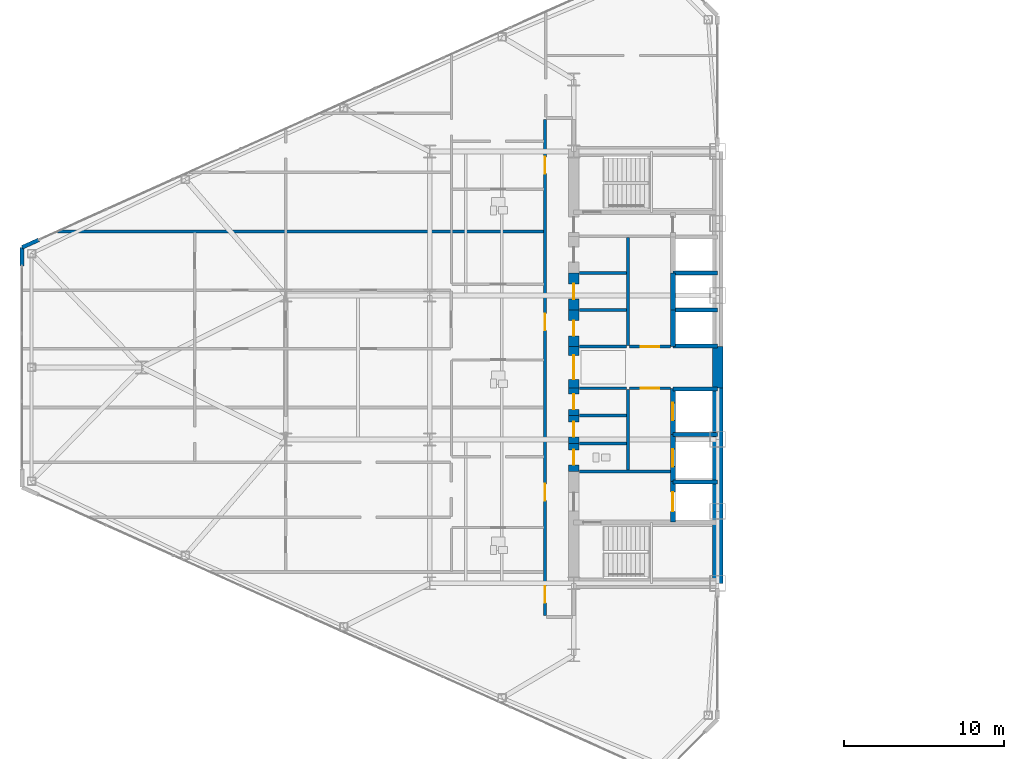
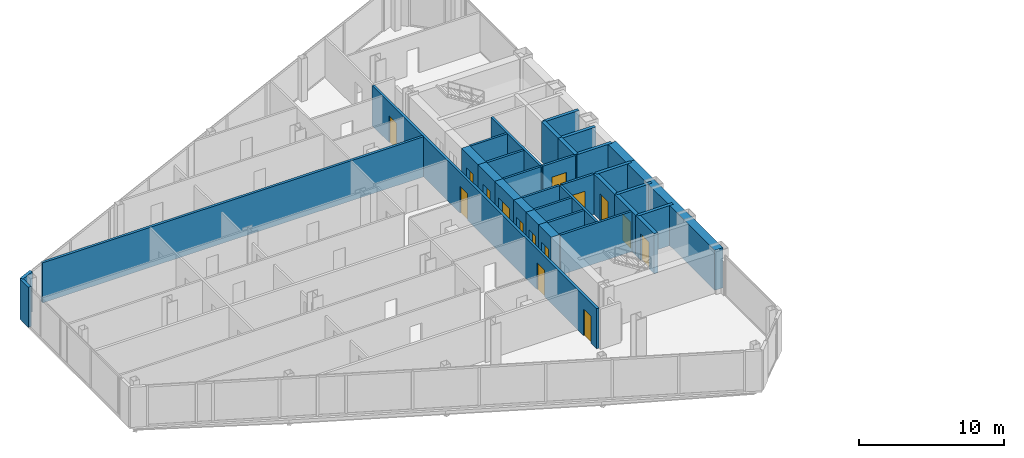
# One storey, part 20 of 27: 34 walls, 15 doors, 15 openings.
"""IFC4 building model written with IfcOpenShell, lengths in metres."""

from ifc_helpers import new_model, si_unit, direction, frame, frame_2d, origin, place, context, subcontext, project, spatial, rectangle, extrude, source, transform, mapped, material, layer, layer_set, type_object, type_shapes, element, fill, save


model = new_model("IFC4")

# Units and contexts
model_context = context("Model", 3, precision=1e-05, world=origin(), true_north=direction((0.0, 1.0)))
body_context = subcontext(model_context, "Body", "Model", "MODEL_VIEW")
ifc_project = project(units=[si_unit("LENGTHUNIT", "METRE"), si_unit("AREAUNIT", "SQUARE_METRE"), si_unit("VOLUMEUNIT", "CUBIC_METRE"), si_unit("PLANEANGLEUNIT", "RADIAN"), si_unit("MASSUNIT", "GRAM", prefix="KILO")], contexts=[model_context])

# Site, building, storey
site_placement = place(None, origin())
site = spatial("IfcSite", under=ifc_project, at=site_placement, CompositionType="ELEMENT")
building_placement = place(site_placement, origin())
building = spatial("IfcBuilding", under=site, at=building_placement, Name="Seokmaru Belvedere", CompositionType="ELEMENT")
storey_placement = place(building_placement, frame((0.0, 0.0, 99.60009765625)))
storey = spatial("IfcBuildingStorey", under=building, at=storey_placement, Name="L26", CompositionType="ELEMENT", Elevation=99.60009765625)

# Walls
ifc_material_1 = material(Name="Fire-Rated Gypsum Shaftwall")
ifc_layer_1 = layer(ifc_material_1, 0.179931640625)
ifc_layer_set_1 = layer_set([ifc_layer_1], Name="Fire-Rated Gypsum Shaftwall")
wall_type_1 = type_object("IfcWallType", Name="Core Service Fire Partition 180", PredefinedType="PARTITIONING", material=ifc_layer_set_1)
wall_1_placement = place(storey_placement, frame((-36.14990234375, -6.5, 0.0), z_axis=(0.0, 0.0, 1.0), x_axis=(1.0, 0.0, 0.0)))
element("IfcWall", 1, at=wall_1_placement, inside=storey, type_object=wall_type_1, Name="L26 West Firefighting Lobby Partition", PredefinedType="PARTITIONING", context=body_context, shape_type="SweptSolid", body=[
    extrude(rectangle(XDim=5.699951171875, YDim=0.179931640625, at=frame_2d((2.85009765625, 0.0))), origin(), (0.0, 0.0, 1.0), 3.3798828125),
])
wall_2_placement = place(storey_placement, frame((-33.10009765625, -6.419921875, 0.0), z_axis=(0.0, 0.0, 1.0), x_axis=(0.0, 1.0, 0.0)))
element("IfcWall", 2, at=wall_2_placement, inside=storey, type_object=wall_type_1, Name="L26 West South Core Service Back Wall", PredefinedType="PARTITIONING", context=body_context, shape_type="SweptSolid", body=[
    extrude(rectangle(XDim=5.0400390625, YDim=0.179931640625, at=frame_2d((2.52001953125, 0.0))), origin(), (0.0, 0.0, 1.0), 3.3798828125),
])
wall_3_placement = place(storey_placement, frame((-33.10009765625, 1.3798828125, 0.0), z_axis=(0.0, 0.0, 1.0), x_axis=(0.0, 1.0, 0.0)))
element("IfcWall", 3, at=wall_3_placement, inside=storey, type_object=wall_type_1, Name="L26 West North Core Service Back Wall", PredefinedType="PARTITIONING", context=body_context, shape_type="SweptSolid", body=[
    extrude(rectangle(XDim=6.740234375, YDim=0.179931640625, at=frame_2d((3.3701171875, 0.0))), origin(), (0.0, 0.0, 1.0), 3.3798828125),
])

# Wall, opening, door
wall_4_placement = place(storey_placement, frame((-33.02001953125, -1.300048828125, 0.0), z_axis=(0.0, 0.0, 1.0), x_axis=(1.0, 0.0, 0.0)))
wall_4 = element("IfcWall", 4, at=wall_4_placement, inside=storey, type_object=wall_type_1, Name="L26 West South Lift Lobby Foyer Wall", PredefinedType="PARTITIONING", context=body_context, shape_type="SweptSolid", body=[
    extrude(rectangle(XDim=2.570068359375, YDim=0.179931640625, at=frame_2d((1.28515625, 0.0))), origin(), (0.0, 0.0, 1.0), 3.3798828125),
])
opening_1_placement = place(wall_4_placement, frame((0.7099609375, 0.0, 0.0)))
opening_1 = element("IfcOpeningElement", 5, at=opening_1_placement, cuts=wall_4, Name="Opening D02", PredefinedType="OPENING", context=body_context, shape_type="SweptSolid", body=[
    extrude(rectangle(XDim=1.14990234375, YDim=2.199951171875, at=frame_2d((0.574951171875, 1.10009765625))), frame((0.0, 0.10009765625, 0.0), z_axis=(0.0, -1.0, 0.0), x_axis=(1.0, 0.0, 0.0)), (0.0, 0.0, 1.0), 0.199951171875),
])
ifc_material_2 = material(Name="Fire-Rated Steel Leaf", Category="steel")
door_type_1 = type_object("IfcDoorType", Name="Lobby and Vestibule Fire Door 1150x2200", OperationType="NOTDEFINED", PredefinedType="DOOR", material=ifc_material_2)
shared_shape_1 = source(origin(), body_context, "Body", "SweptSolid", [
    extrude(rectangle(XDim=1.14990234375, YDim=2.199951171875, at=frame_2d((0.574951171875, 1.10009765625))), frame((0.0, 0.02490234375, 0.0), z_axis=(0.0, -1.0, 0.0), x_axis=(1.0, 0.0, 0.0)), (0.0, 0.0, 1.0), 0.050048828125),
])
type_shapes(door_type_1, [shared_shape_1])
door_1_placement = place(opening_1_placement, origin())
door_1 = element("IfcDoor", 6, at=door_1_placement, inside=storey, type_object=door_type_1, Name="L26 West South Core Foyer Door", OperationType="SINGLE_SWING_LEFT", OverallHeight=2.199951171875, OverallWidth=1.14990234375, PredefinedType="DOOR", context=body_context, shape_type="MappedRepresentation", body=[
    mapped(shared_shape_1, transform((0.0, 0.0, 0.0), scale=1.0)),
])
fill(opening_1, door_1)

wall_5_placement = place(storey_placement, frame((-33.02001953125, 1.300048828125, 0.0), z_axis=(0.0, 0.0, 1.0), x_axis=(1.0, 0.0, 0.0)))
wall_5 = element("IfcWall", 7, at=wall_5_placement, inside=storey, type_object=wall_type_1, Name="L26 West North Lift Lobby Foyer Wall", PredefinedType="PARTITIONING", context=body_context, shape_type="SweptSolid", body=[
    extrude(rectangle(XDim=2.570068359375, YDim=0.179931640625, at=frame_2d((1.28515625, 0.0))), origin(), (0.0, 0.0, 1.0), 3.3798828125),
])
opening_2_placement = place(wall_5_placement, frame((0.7099609375, 0.0, 0.0)))
opening_2 = element("IfcOpeningElement", 8, at=opening_2_placement, cuts=wall_5, Name="Opening D02", PredefinedType="OPENING", context=body_context, shape_type="SweptSolid", body=[
    extrude(rectangle(XDim=1.14990234375, YDim=2.199951171875, at=frame_2d((0.574951171875, 1.10009765625))), frame((0.0, 0.10009765625, 0.0), z_axis=(0.0, -1.0, 0.0), x_axis=(1.0, 0.0, 0.0)), (0.0, 0.0, 1.0), 0.199951171875),
])
door_2_placement = place(opening_2_placement, origin())
door_2 = element("IfcDoor", 9, at=door_2_placement, inside=storey, type_object=door_type_1, Name="L26 West North Lift Lobby Door", OperationType="SINGLE_SWING_RIGHT", OverallHeight=2.199951171875, OverallWidth=1.14990234375, PredefinedType="DOOR", context=body_context, shape_type="MappedRepresentation", body=[
    mapped(shared_shape_1, transform((0.0, 0.0, 0.0), scale=1.0)),
])
fill(opening_2, door_2)

# Walls
for number, where, z_axis, x_axis, name in (
    (10, (-36.14990234375, -1.300048828125, 0.0), (0.0, 0.0, 1.0), (1.0, 0.0, 0.0), "L26 West Foyer Side Wall S"),
    (11, (-36.14990234375, 1.300048828125, 0.0), (0.0, 0.0, 1.0), (1.0, 0.0, 0.0), "L26 West Foyer Side Wall N"),
    (12, (-36.14990234375, -4.75, 0.0), (0.0, 0.0, 1.0), (1.0, 0.0, 0.0), "L26 West Core Service Partition 1"),
    (13, (-36.14990234375, -3.0, 0.0), (0.0, 0.0, 1.0), (1.0, 0.0, 0.0), "L26 West Core Service Partition 2"),
    (14, (-36.14990234375, 3.60009765625, 0.0), (0.0, 0.0, 1.0), (1.0, 0.0, 0.0), "L26 West Core Service Partition 3"),
    (15, (-36.14990234375, 5.89990234375, 0.0), (0.0, 0.0, 1.0), (1.0, 0.0, 0.0), "L26 West Core Service Partition 4"),
):
    element("IfcWall", number, at=place(storey_placement, frame(where, z_axis=z_axis, x_axis=x_axis)), inside=storey, type_object=wall_type_1, Name=name, PredefinedType="PARTITIONING", context=body_context, shape_type="SweptSolid", body=[
        extrude(rectangle(XDim=2.949951171875, YDim=0.179931640625, at=frame_2d((1.47509765625, 0.0))), origin(), (0.0, 0.0, 1.0), 3.3798828125),
    ])
ifc_material_3 = material(Name="Concrete C50 (50 MPa)", Category="concrete")
ifc_layer_2 = layer(ifc_material_3, 0.25)
ifc_layer_set_2 = layer_set([ifc_layer_2], Name="Concrete C50 (50 MPa)")
wall_type_2 = type_object("IfcWallType", Name="Hoistway Transverse Concrete Divider Wall 250", PredefinedType="SHEAR", material=ifc_layer_set_2)
for number, where, z_axis, x_axis, name in (
    (16, (-30.300048828125, -7.14990234375, 0.0), (0.0, 0.0, 1.0), (1.0, 0.0, 0.0), "L26 West Hoistway Divider Core Wall 1"),
    (17, (-30.300048828125, -4.199951171875, 0.0), (0.0, 0.0, 1.0), (1.0, 0.0, 0.0), "L26 West Hoistway Divider Core Wall 2"),
    (18, (-30.300048828125, -1.35009765625, 0.0), (0.0, 0.0, 1.0), (1.0, 0.0, 0.0), "L26 West Hoistway Divider Core Wall 3"),
    (19, (-30.300048828125, 1.35009765625, 0.0), (0.0, 0.0, 1.0), (1.0, 0.0, 0.0), "L26 West Hoistway Divider Core Wall 4"),
    (20, (-30.300048828125, 3.60009765625, 0.0), (0.0, 0.0, 1.0), (1.0, 0.0, 0.0), "L26 West Hoistway Divider Core Wall 5"),
    (21, (-30.300048828125, 5.89990234375, 0.0), (0.0, 0.0, 1.0), (1.0, 0.0, 0.0), "L26 West Hoistway Divider Core Wall 6"),
):
    element("IfcWall", number, at=place(storey_placement, frame(where, z_axis=z_axis, x_axis=x_axis)), inside=storey, type_object=wall_type_2, Name=name, PredefinedType="SHEAR", context=body_context, shape_type="SweptSolid", body=[
        extrude(rectangle(XDim=2.800048828125, YDim=0.25, at=frame_2d((1.39990234375, 0.0))), origin(), (0.0, 0.0, 1.0), 3.3798828125),
    ])
ifc_layer_3 = layer(ifc_material_1, 0.199951171875)
ifc_layer_set_3 = layer_set([ifc_layer_3], Name="Fire-Rated Gypsum Shaftwall")
wall_type_3 = type_object("IfcWallType", Name="Inter-Tenancy Fire Compartment Partition 200", PredefinedType="PARTITIONING", material=ifc_layer_set_3)
wall_6_placement = place(storey_placement, frame((-68.7900390625, 8.5, 0.0), z_axis=(0.0, 0.0, 1.0), x_axis=(1.0, 0.0, 0.0)))
element("IfcWall", 22, at=wall_6_placement, inside=storey, type_object=wall_type_3, Name="L26 Interior Partition 021", PredefinedType="PARTITIONING", context=body_context, shape_type="SweptSolid", body=[
    extrude(rectangle(XDim=30.41015625, YDim=0.199951171875, at=frame_2d((15.205078125, 0.0))), origin(), (0.0, 0.0, 1.0), 3.3798828125),
])

# Wall, openings, doors
wall_7_placement = place(storey_placement, frame((-38.300048828125, -15.514892578125, 0.0), z_axis=(0.0, 0.0, 1.0), x_axis=(0.0, 1.0, 0.0)))
wall_7 = element("IfcWall", 23, at=wall_7_placement, inside=storey, type_object=wall_type_3, Name="L26 Interior Partition 039", PredefinedType="PARTITIONING", context=body_context, shape_type="SweptSolid", body=[
    extrude(rectangle(XDim=31.02978515625, YDim=0.199951171875, at=frame_2d((15.514892578125, 0.0))), origin(), (0.0, 0.0, 1.0), 3.3798828125),
])
opening_3_placement = place(wall_7_placement, frame((0.7900390625, 0.0, 0.0)))
opening_3 = element("IfcOpeningElement", 24, at=opening_3_placement, cuts=wall_7, Name="Opening D03", PredefinedType="OPENING", context=body_context, shape_type="SweptSolid", body=[
    extrude(rectangle(XDim=1.050048828125, YDim=2.25, at=frame_2d((0.52490234375, 1.125))), frame((0.0, 0.10986328125, 0.0), z_axis=(0.0, -1.0, 0.0), x_axis=(1.0, 0.0, 0.0)), (0.0, 0.0, 1.0), 0.219970703125),
])
opening_4_placement = place(wall_7_placement, frame((7.185546875, 0.0, 0.0)))
opening_4 = element("IfcOpeningElement", 25, at=opening_4_placement, cuts=wall_7, Name="Opening D03", PredefinedType="OPENING", context=body_context, shape_type="SweptSolid", body=[
    extrude(rectangle(XDim=1.050048828125, YDim=2.25, at=frame_2d((0.52490234375, 1.125))), frame((0.0, 0.10986328125, 0.0), z_axis=(0.0, -1.0, 0.0), x_axis=(1.0, 0.0, 0.0)), (0.0, 0.0, 1.0), 0.219970703125),
])
opening_5_placement = place(wall_7_placement, frame((17.824951171875, 0.0, 0.0)))
opening_5 = element("IfcOpeningElement", 26, at=opening_5_placement, cuts=wall_7, Name="Opening D03", PredefinedType="OPENING", context=body_context, shape_type="SweptSolid", body=[
    extrude(rectangle(XDim=1.050048828125, YDim=2.25, at=frame_2d((0.52490234375, 1.125))), frame((0.0, 0.10986328125, 0.0), z_axis=(0.0, -1.0, 0.0), x_axis=(1.0, 0.0, 0.0)), (0.0, 0.0, 1.0), 0.219970703125),
])
opening_6_placement = place(wall_7_placement, frame((27.635009765625, 0.0, 0.0)))
opening_6 = element("IfcOpeningElement", 27, at=opening_6_placement, cuts=wall_7, Name="Opening D03", PredefinedType="OPENING", context=body_context, shape_type="SweptSolid", body=[
    extrude(rectangle(XDim=1.050048828125, YDim=2.25, at=frame_2d((0.52490234375, 1.125))), frame((0.0, 0.10986328125, 0.0), z_axis=(0.0, -1.0, 0.0), x_axis=(1.0, 0.0, 0.0)), (0.0, 0.0, 1.0), 0.219970703125),
])
door_type_2 = type_object("IfcDoorType", Name="Apartment Entrance Fire Door 1050x2250", OperationType="NOTDEFINED", PredefinedType="DOOR", material=ifc_material_2)
shared_shape_2 = source(origin(), body_context, "Body", "SweptSolid", [
    extrude(rectangle(XDim=1.050048828125, YDim=2.25, at=frame_2d((0.52490234375, 1.125))), frame((0.0, 0.02490234375, 0.0), z_axis=(0.0, -1.0, 0.0), x_axis=(1.0, 0.0, 0.0)), (0.0, 0.0, 1.0), 0.050048828125),
])
type_shapes(door_type_2, [shared_shape_2])
door_3_placement = place(opening_3_placement, origin())
door_3 = element("IfcDoor", 28, at=door_3_placement, inside=storey, type_object=door_type_2, Name="L26 Interior Door 001", OperationType="SINGLE_SWING_RIGHT", OverallHeight=2.25, OverallWidth=1.050048828125, PredefinedType="DOOR", context=body_context, shape_type="MappedRepresentation", body=[
    mapped(shared_shape_2, transform((0.0, 0.0, 0.0), scale=1.0)),
])
fill(opening_3, door_3)
door_4_placement = place(opening_4_placement, origin())
door_4 = element("IfcDoor", 29, at=door_4_placement, inside=storey, type_object=door_type_2, Name="L26 Interior Door 002", OperationType="SINGLE_SWING_LEFT", OverallHeight=2.25, OverallWidth=1.050048828125, PredefinedType="DOOR", context=body_context, shape_type="MappedRepresentation", body=[
    mapped(shared_shape_2, transform((0.0, 0.0, 0.0), scale=1.0)),
])
fill(opening_4, door_4)
door_5_placement = place(opening_5_placement, origin())
door_5 = element("IfcDoor", 30, at=door_5_placement, inside=storey, type_object=door_type_2, Name="L26 Interior Door 012", OperationType="SINGLE_SWING_RIGHT", OverallHeight=2.25, OverallWidth=1.050048828125, PredefinedType="DOOR", context=body_context, shape_type="MappedRepresentation", body=[
    mapped(shared_shape_2, transform((0.0, 0.0, 0.0), scale=1.0)),
])
fill(opening_5, door_5)
door_6_placement = place(opening_6_placement, origin())
door_6 = element("IfcDoor", 31, at=door_6_placement, inside=storey, type_object=door_type_2, Name="L26 Interior Door 024", OperationType="SINGLE_SWING_LEFT", OverallHeight=2.25, OverallWidth=1.050048828125, PredefinedType="DOOR", context=body_context, shape_type="MappedRepresentation", body=[
    mapped(shared_shape_2, transform((0.0, 0.0, 0.0), scale=1.0)),
])
fill(opening_6, door_6)

# Wall, opening, door
ifc_layer_4 = layer(ifc_material_3, 0.300048828125)
ifc_layer_set_4 = layer_set([ifc_layer_4], Name="Concrete C50 (50 MPa)")
wall_type_4 = type_object("IfcWallType", Name="Internal Core Stair and Hoistway Wall 300", PredefinedType="SHEAR", material=ifc_layer_set_4)
wall_8_placement = place(storey_placement, frame((-30.300048828125, -9.679931640625, 0.0), z_axis=(0.0, 0.0, 1.0), x_axis=(0.0, 1.0, 0.0)))
wall_8 = element("IfcWall", 32, at=wall_8_placement, inside=storey, type_object=wall_type_4, Name="L26 West Firefighting Lift Shaft Front Wall", PredefinedType="SHEAR", context=body_context, shape_type="SweptSolid", body=[
    extrude(rectangle(XDim=2.559814453125, YDim=0.300048828125, at=frame_2d((1.27978515625, 0.0))), origin(), (0.0, 0.0, 1.0), 3.3798828125),
])
opening_7_placement = place(wall_8_placement, frame((0.679931640625, 0.0, 0.0)))
opening_7 = element("IfcOpeningElement", 33, at=opening_7_placement, cuts=wall_8, Name="Opening LD2", PredefinedType="OPENING", context=body_context, shape_type="SweptSolid", body=[
    extrude(rectangle(XDim=1.199951171875, YDim=2.25, at=frame_2d((0.60009765625, 1.125))), frame((0.0, 0.16015625, 0.0), z_axis=(0.0, -1.0, 0.0), x_axis=(1.0, 0.0, 0.0)), (0.0, 0.0, 1.0), 0.320068359375),
])
ifc_material_4 = material(Name="Stainless Steel 316", Category="steel")
door_type_3 = type_object("IfcDoorType", Name="Firefighting Lift Sliding Landing Door 1200x2250", OperationType="DOUBLE_DOOR_SLIDING", PredefinedType="DOOR", material=ifc_material_4)
shared_shape_3 = source(origin(), body_context, "Body", "SweptSolid", [
    extrude(rectangle(XDim=1.199951171875, YDim=2.25, at=frame_2d((0.60009765625, 1.125))), frame((0.0, 0.02490234375, 0.0), z_axis=(0.0, -1.0, 0.0), x_axis=(1.0, 0.0, 0.0)), (0.0, 0.0, 1.0), 0.050048828125),
])
type_shapes(door_type_3, [shared_shape_3])
door_7_placement = place(opening_7_placement, origin())
door_7 = element("IfcDoor", 34, at=door_7_placement, inside=storey, type_object=door_type_3, Name="L26 West Firefighting Lift Landing Door", OperationType="DOUBLE_DOOR_SLIDING", OverallHeight=2.25, OverallWidth=1.199951171875, PredefinedType="DOOR", context=body_context, shape_type="MappedRepresentation", body=[
    mapped(shared_shape_3, transform((0.0, 0.0, 0.0), scale=1.0)),
])
fill(opening_7, door_7)

wall_9_placement = place(storey_placement, frame((-30.300048828125, -7.1201171875, 0.0), z_axis=(0.0, 0.0, 1.0), x_axis=(0.0, 1.0, 0.0)))
wall_9 = element("IfcWall", 35, at=wall_9_placement, inside=storey, type_object=wall_type_4, Name="L26 West Low-Rise Lift PL-1 Front Wall", PredefinedType="SHEAR", context=body_context, shape_type="SweptSolid", body=[
    extrude(rectangle(XDim=2.920166015625, YDim=0.300048828125, at=frame_2d((1.4599609375, 0.0))), origin(), (0.0, 0.0, 1.0), 3.3798828125),
])
opening_8_placement = place(wall_9_placement, frame((0.909912109375, 0.0, 0.0)))
opening_8 = element("IfcOpeningElement", 36, at=opening_8_placement, cuts=wall_9, Name="Opening LD1", PredefinedType="OPENING", context=body_context, shape_type="SweptSolid", body=[
    extrude(rectangle(XDim=1.10009765625, YDim=2.199951171875, at=frame_2d((0.550048828125, 1.10009765625))), frame((0.0, 0.16015625, 0.0), z_axis=(0.0, -1.0, 0.0), x_axis=(1.0, 0.0, 0.0)), (0.0, 0.0, 1.0), 0.320068359375),
])
door_type_4 = type_object("IfcDoorType", Name="Passenger Lift Sliding Landing Door 1100x2200", OperationType="DOUBLE_DOOR_SLIDING", PredefinedType="DOOR", material=ifc_material_4)
shared_shape_4 = source(origin(), body_context, "Body", "SweptSolid", [
    extrude(rectangle(XDim=1.10009765625, YDim=2.199951171875, at=frame_2d((0.550048828125, 1.10009765625))), frame((0.0, 0.02490234375, 0.0), z_axis=(0.0, -1.0, 0.0), x_axis=(1.0, 0.0, 0.0)), (0.0, 0.0, 1.0), 0.050048828125),
])
type_shapes(door_type_4, [shared_shape_4])
door_8_placement = place(opening_8_placement, origin())
door_8 = element("IfcDoor", 37, at=door_8_placement, inside=storey, type_object=door_type_4, Name="L26 West Low-Rise Lift PL-1 Landing Door", OperationType="DOUBLE_DOOR_SLIDING", OverallHeight=2.199951171875, OverallWidth=1.10009765625, PredefinedType="DOOR", context=body_context, shape_type="MappedRepresentation", body=[
    mapped(shared_shape_4, transform((0.0, 0.0, 0.0), scale=1.0)),
])
fill(opening_8, door_8)

wall_10_placement = place(storey_placement, frame((-30.300048828125, -4.199951171875, 0.0), z_axis=(0.0, 0.0, 1.0), x_axis=(0.0, 1.0, 0.0)))
wall_10 = element("IfcWall", 38, at=wall_10_placement, inside=storey, type_object=wall_type_4, Name="L26 West Low-Rise Lift PL-2 Front Wall", PredefinedType="SHEAR", context=body_context, shape_type="SweptSolid", body=[
    extrude(rectangle(XDim=2.8798828125, YDim=0.300048828125, at=frame_2d((1.43994140625, 0.0))), origin(), (0.0, 0.0, 1.0), 3.3798828125),
])
opening_9_placement = place(wall_10_placement, frame((0.889892578125, 0.0, 0.0)))
opening_9 = element("IfcOpeningElement", 39, at=opening_9_placement, cuts=wall_10, Name="Opening LD1", PredefinedType="OPENING", context=body_context, shape_type="SweptSolid", body=[
    extrude(rectangle(XDim=1.10009765625, YDim=2.199951171875, at=frame_2d((0.550048828125, 1.10009765625))), frame((0.0, 0.16015625, 0.0), z_axis=(0.0, -1.0, 0.0), x_axis=(1.0, 0.0, 0.0)), (0.0, 0.0, 1.0), 0.320068359375),
])
door_9_placement = place(opening_9_placement, origin())
door_9 = element("IfcDoor", 40, at=door_9_placement, inside=storey, type_object=door_type_4, Name="L26 West Low-Rise Lift PL-2 Landing Door", OperationType="DOUBLE_DOOR_SLIDING", OverallHeight=2.199951171875, OverallWidth=1.10009765625, PredefinedType="DOOR", context=body_context, shape_type="MappedRepresentation", body=[
    mapped(shared_shape_4, transform((0.0, 0.0, 0.0), scale=1.0)),
])
fill(opening_9, door_9)

# Walls
wall_11_placement = place(storey_placement, frame((-30.300048828125, 1.320068359375, 0.0), z_axis=(0.0, 0.0, 1.0), x_axis=(0.0, 1.0, 0.0)))
element("IfcWall", 41, at=wall_11_placement, inside=storey, type_object=wall_type_4, Name="L26 West North Hoistway Wall PH1", PredefinedType="SHEAR", context=body_context, shape_type="SweptSolid", body=[
    extrude(rectangle(XDim=2.280029296875, YDim=0.300048828125, at=frame_2d((1.14013671875, 0.0))), origin(), (0.0, 0.0, 1.0), 3.3798828125),
])
wall_12_placement = place(storey_placement, frame((-30.300048828125, 3.60009765625, 0.0), z_axis=(0.0, 0.0, 1.0), x_axis=(0.0, 1.0, 0.0)))
element("IfcWall", 42, at=wall_12_placement, inside=storey, type_object=wall_type_4, Name="L26 West North Hoistway Wall PH2", PredefinedType="SHEAR", context=body_context, shape_type="SweptSolid", body=[
    extrude(rectangle(XDim=2.2998046875, YDim=0.300048828125, at=frame_2d((1.14990234375, 0.0))), origin(), (0.0, 0.0, 1.0), 3.3798828125),
])
ifc_material_5 = material(Name="Concrete C60 (60 MPa)", Category="concrete")
ifc_layer_5 = layer(ifc_material_5, 0.64990234375)
ifc_layer_set_5 = layer_set([ifc_layer_5], Name="Concrete C60 (60 MPa)")
wall_type_5 = type_object("IfcWallType", Name="Mid-Low Reinforced Concrete Core Wall 650", PredefinedType="SHEAR", material=ifc_layer_set_5)
wall_13_placement = place(storey_placement, frame((-27.5, -13.5, 0.0), z_axis=(0.0, 0.0, 1.0), x_axis=(0.0, 1.0, 0.0)))
element("IfcWall", 43, at=wall_13_placement, inside=storey, type_object=wall_type_5, Name="L26 West Portal Spine Core Wall South", PredefinedType="SHEAR", context=body_context, shape_type="SweptSolid", body=[
    extrude(rectangle(XDim=12.199951171875, YDim=0.64990234375, at=frame_2d((6.10009765625, 0.0))), origin(), (0.0, 0.0, 1.0), 3.3798828125),
])
wall_14_placement = place(storey_placement, frame((-27.5, -1.300048828125, 0.0), z_axis=(0.0, 0.0, 1.0), x_axis=(0.0, 1.0, 0.0)))
element("IfcWall", 44, at=wall_14_placement, inside=storey, type_object=wall_type_5, Name="L26 West Portal Spine Core Wall Center", PredefinedType="SHEAR", context=body_context, shape_type="SweptSolid", body=[
    extrude(rectangle(XDim=2.60009765625, YDim=0.64990234375, at=frame_2d((1.300048828125, 0.0))), origin(), (0.0, 0.0, 1.0), 3.3798828125),
])

# Wall, opening, door
wall_15_placement = place(storey_placement, frame((-36.5, -1.300048828125, 0.0), z_axis=(0.0, 0.0, 1.0), x_axis=(0.0, 1.0, 0.0)))
wall_15 = element("IfcWall", 45, at=wall_15_placement, inside=storey, type_object=wall_type_5, Name="L26 West West Core Wall FOY", PredefinedType="SHEAR", context=body_context, shape_type="SweptSolid", body=[
    extrude(rectangle(XDim=2.60009765625, YDim=0.64990234375, at=frame_2d((1.300048828125, 0.0))), origin(), (0.0, 0.0, 1.0), 3.3798828125),
])
opening_10_placement = place(wall_15_placement, frame((0.550048828125, 0.0, 0.0)))
opening_10 = element("IfcOpeningElement", 46, at=opening_10_placement, cuts=wall_15, Name="Opening D08", PredefinedType="OPENING", context=body_context, shape_type="SweptSolid", body=[
    extrude(rectangle(XDim=1.5, YDim=2.300048828125, at=frame_2d((0.75, 1.14990234375))), frame((0.0, 0.3349609375, 0.0), z_axis=(0.0, -1.0, 0.0), x_axis=(1.0, 0.0, 0.0)), (0.0, 0.0, 1.0), 0.669921875),
])
door_type_5 = type_object("IfcDoorType", Name="Cross-Corridor Compartment Double Fire Door 1500x2300", OperationType="DOUBLE_SWING_LEFT", PredefinedType="DOOR", material=ifc_material_2)
shared_shape_5 = source(origin(), body_context, "Body", "SweptSolid", [
    extrude(rectangle(XDim=1.5, YDim=2.300048828125, at=frame_2d((0.75, 1.14990234375))), frame((0.0, 0.02490234375, 0.0), z_axis=(0.0, -1.0, 0.0), x_axis=(1.0, 0.0, 0.0)), (0.0, 0.0, 1.0), 0.050048828125),
])
type_shapes(door_type_5, [shared_shape_5])
door_10_placement = place(opening_10_placement, origin())
door_10 = element("IfcDoor", 47, at=door_10_placement, inside=storey, type_object=door_type_5, Name="L26 West Core Foyer Compartment Door", OperationType="DOUBLE_SWING_LEFT", OverallHeight=2.300048828125, OverallWidth=1.5, PredefinedType="DOOR", context=body_context, shape_type="MappedRepresentation", body=[
    mapped(shared_shape_5, transform((0.0, 0.0, 0.0), scale=1.0)),
])
fill(opening_10, door_10)

wall_16_placement = place(storey_placement, frame((-36.5, -6.5, 0.0), z_axis=(0.0, 0.0, 1.0), x_axis=(0.0, 1.0, 0.0)))
wall_16 = element("IfcWall", 48, at=wall_16_placement, inside=storey, type_object=wall_type_5, Name="L26 West West Core Wall CS1", PredefinedType="SHEAR", context=body_context, shape_type="SweptSolid", body=[
    extrude(rectangle(XDim=1.75, YDim=0.64990234375, at=frame_2d((0.875, 0.0))), origin(), (0.0, 0.0, 1.0), 3.3798828125),
])
opening_11_placement = place(wall_16_placement, frame((0.39990234375, 0.0, 0.0)))
opening_11 = element("IfcOpeningElement", 49, at=opening_11_placement, cuts=wall_16, Name="Opening D04", PredefinedType="OPENING", context=body_context, shape_type="SweptSolid", body=[
    extrude(rectangle(XDim=0.949951171875, YDim=2.14990234375, at=frame_2d((0.47509765625, 1.074951171875))), frame((0.0, 0.3349609375, 0.0), z_axis=(0.0, -1.0, 0.0), x_axis=(1.0, 0.0, 0.0)), (0.0, 0.0, 1.0), 0.669921875),
])
door_type_6 = type_object("IfcDoorType", Name="Core Service Room Fire Door 950x2150", OperationType="NOTDEFINED", PredefinedType="DOOR", material=ifc_material_2)
shared_shape_6 = source(origin(), body_context, "Body", "SweptSolid", [
    extrude(rectangle(XDim=0.949951171875, YDim=2.14990234375, at=frame_2d((0.47509765625, 1.074951171875))), frame((0.0, 0.02490234375, 0.0), z_axis=(0.0, -1.0, 0.0), x_axis=(1.0, 0.0, 0.0)), (0.0, 0.0, 1.0), 0.050048828125),
])
type_shapes(door_type_6, [shared_shape_6])
door_11_placement = place(opening_11_placement, origin())
door_11 = element("IfcDoor", 50, at=door_11_placement, inside=storey, type_object=door_type_6, Name="L26 West Core Service Room Door 1", OperationType="SINGLE_SWING_LEFT", OverallHeight=2.14990234375, OverallWidth=0.949951171875, PredefinedType="DOOR", context=body_context, shape_type="MappedRepresentation", body=[
    mapped(shared_shape_6, transform((0.0, 0.0, 0.0), scale=1.0)),
])
fill(opening_11, door_11)

wall_17_placement = place(storey_placement, frame((-36.5, -4.75, 0.0), z_axis=(0.0, 0.0, 1.0), x_axis=(0.0, 1.0, 0.0)))
wall_17 = element("IfcWall", 51, at=wall_17_placement, inside=storey, type_object=wall_type_5, Name="L26 West West Core Wall CS2", PredefinedType="SHEAR", context=body_context, shape_type="SweptSolid", body=[
    extrude(rectangle(XDim=1.75, YDim=0.64990234375, at=frame_2d((0.875, 0.0))), origin(), (0.0, 0.0, 1.0), 3.3798828125),
])
opening_12_placement = place(wall_17_placement, frame((0.39990234375, 0.0, 0.0)))
opening_12 = element("IfcOpeningElement", 52, at=opening_12_placement, cuts=wall_17, Name="Opening D04", PredefinedType="OPENING", context=body_context, shape_type="SweptSolid", body=[
    extrude(rectangle(XDim=0.949951171875, YDim=2.14990234375, at=frame_2d((0.47509765625, 1.074951171875))), frame((0.0, 0.3349609375, 0.0), z_axis=(0.0, -1.0, 0.0), x_axis=(1.0, 0.0, 0.0)), (0.0, 0.0, 1.0), 0.669921875),
])
door_12_placement = place(opening_12_placement, origin())
door_12 = element("IfcDoor", 53, at=door_12_placement, inside=storey, type_object=door_type_6, Name="L26 West Core Service Room Door 2", OperationType="SINGLE_SWING_RIGHT", OverallHeight=2.14990234375, OverallWidth=0.949951171875, PredefinedType="DOOR", context=body_context, shape_type="MappedRepresentation", body=[
    mapped(shared_shape_6, transform((0.0, 0.0, 0.0), scale=1.0)),
])
fill(opening_12, door_12)

wall_18_placement = place(storey_placement, frame((-36.5, -3.0, 0.0), z_axis=(0.0, 0.0, 1.0), x_axis=(0.0, 1.0, 0.0)))
wall_18 = element("IfcWall", 54, at=wall_18_placement, inside=storey, type_object=wall_type_5, Name="L26 West West Core Wall CS3", PredefinedType="SHEAR", context=body_context, shape_type="SweptSolid", body=[
    extrude(rectangle(XDim=1.699951171875, YDim=0.64990234375, at=frame_2d((0.85009765625, 0.0))), origin(), (0.0, 0.0, 1.0), 3.3798828125),
])
opening_13_placement = place(wall_18_placement, frame((0.375, 0.0, 0.0)))
opening_13 = element("IfcOpeningElement", 55, at=opening_13_placement, cuts=wall_18, Name="Opening D04", PredefinedType="OPENING", context=body_context, shape_type="SweptSolid", body=[
    extrude(rectangle(XDim=0.949951171875, YDim=2.14990234375, at=frame_2d((0.47509765625, 1.074951171875))), frame((0.0, 0.3349609375, 0.0), z_axis=(0.0, -1.0, 0.0), x_axis=(1.0, 0.0, 0.0)), (0.0, 0.0, 1.0), 0.669921875),
])
door_13_placement = place(opening_13_placement, origin())
door_13 = element("IfcDoor", 56, at=door_13_placement, inside=storey, type_object=door_type_6, Name="L26 West Core Service Room Door 3", OperationType="SINGLE_SWING_LEFT", OverallHeight=2.14990234375, OverallWidth=0.949951171875, PredefinedType="DOOR", context=body_context, shape_type="MappedRepresentation", body=[
    mapped(shared_shape_6, transform((0.0, 0.0, 0.0), scale=1.0)),
])
fill(opening_13, door_13)

wall_19_placement = place(storey_placement, frame((-36.5, 1.300048828125, 0.0), z_axis=(0.0, 0.0, 1.0), x_axis=(0.0, 1.0, 0.0)))
wall_19 = element("IfcWall", 57, at=wall_19_placement, inside=storey, type_object=wall_type_5, Name="L26 West West Core Wall CS4", PredefinedType="SHEAR", context=body_context, shape_type="SweptSolid", body=[
    extrude(rectangle(XDim=2.300048828125, YDim=0.64990234375, at=frame_2d((1.14990234375, 0.0))), origin(), (0.0, 0.0, 1.0), 3.3798828125),
])
opening_14_placement = place(wall_19_placement, frame((0.675048828125, 0.0, 0.0)))
opening_14 = element("IfcOpeningElement", 58, at=opening_14_placement, cuts=wall_19, Name="Opening D04", PredefinedType="OPENING", context=body_context, shape_type="SweptSolid", body=[
    extrude(rectangle(XDim=0.949951171875, YDim=2.14990234375, at=frame_2d((0.47509765625, 1.074951171875))), frame((0.0, 0.3349609375, 0.0), z_axis=(0.0, -1.0, 0.0), x_axis=(1.0, 0.0, 0.0)), (0.0, 0.0, 1.0), 0.669921875),
])
door_14_placement = place(opening_14_placement, origin())
door_14 = element("IfcDoor", 59, at=door_14_placement, inside=storey, type_object=door_type_6, Name="L26 West Core Service Room Door 4", OperationType="SINGLE_SWING_RIGHT", OverallHeight=2.14990234375, OverallWidth=0.949951171875, PredefinedType="DOOR", context=body_context, shape_type="MappedRepresentation", body=[
    mapped(shared_shape_6, transform((0.0, 0.0, 0.0), scale=1.0)),
])
fill(opening_14, door_14)

wall_20_placement = place(storey_placement, frame((-36.5, 3.60009765625, 0.0), z_axis=(0.0, 0.0, 1.0), x_axis=(0.0, 1.0, 0.0)))
wall_20 = element("IfcWall", 60, at=wall_20_placement, inside=storey, type_object=wall_type_5, Name="L26 West West Core Wall CS5", PredefinedType="SHEAR", context=body_context, shape_type="SweptSolid", body=[
    extrude(rectangle(XDim=2.2998046875, YDim=0.64990234375, at=frame_2d((1.14990234375, 0.0))), origin(), (0.0, 0.0, 1.0), 3.3798828125),
])
opening_15_placement = place(wall_20_placement, frame((0.675048828125, 0.0, 0.0)))
opening_15 = element("IfcOpeningElement", 61, at=opening_15_placement, cuts=wall_20, Name="Opening D04", PredefinedType="OPENING", context=body_context, shape_type="SweptSolid", body=[
    extrude(rectangle(XDim=0.949951171875, YDim=2.14990234375, at=frame_2d((0.47509765625, 1.074951171875))), frame((0.0, 0.3349609375, 0.0), z_axis=(0.0, -1.0, 0.0), x_axis=(1.0, 0.0, 0.0)), (0.0, 0.0, 1.0), 0.669921875),
])
door_15_placement = place(opening_15_placement, origin())
door_15 = element("IfcDoor", 62, at=door_15_placement, inside=storey, type_object=door_type_6, Name="L26 West Core Service Room Door 5", OperationType="SINGLE_SWING_LEFT", OverallHeight=2.14990234375, OverallWidth=0.949951171875, PredefinedType="DOOR", context=body_context, shape_type="MappedRepresentation", body=[
    mapped(shared_shape_6, transform((0.0, 0.0, 0.0), scale=1.0)),
])
fill(opening_15, door_15)

# Walls
ifc_material_6 = material(Name="Anodised Bronze Aluminium", Category="aluminium")
ifc_layer_6 = layer(ifc_material_6, 0.239990234375)
ifc_layer_set_6 = layer_set([ifc_layer_6], Name="Anodised Bronze Aluminium")
wall_type_6 = type_object("IfcWallType", Name="Tower Corner Spandrel Closure Wall 240", PredefinedType="SOLIDWALL", material=ifc_layer_set_6)
for number, where, z_axis, x_axis, name in (
    (63, (-69.951416015625, 7.971923828125, 0.0), (0.0, 0.0, 1.0), (-0.911929519623, -0.410346866979, 0.0), "L26 W Corner Closure Pier 3B"),
    (64, (-71.0, 7.489990234375, 0.0), (0.0, 0.0, 1.0), (0.0, -1.0, 0.0), "L26 W Corner Closure Pier 4A"),
):
    element("IfcWall", number, at=place(storey_placement, frame(where, z_axis=z_axis, x_axis=x_axis)), inside=storey, type_object=wall_type_6, Name=name, PredefinedType="SOLIDWALL", context=body_context, shape_type="SweptSolid", body=[
        extrude(rectangle(XDim=1.139892578125, YDim=0.239990234375, at=frame_2d((0.56982421875, 0.0))), origin(), (0.0, 0.0, 1.0), 3.3798828125),
    ])

save(model, "model.ifc")
